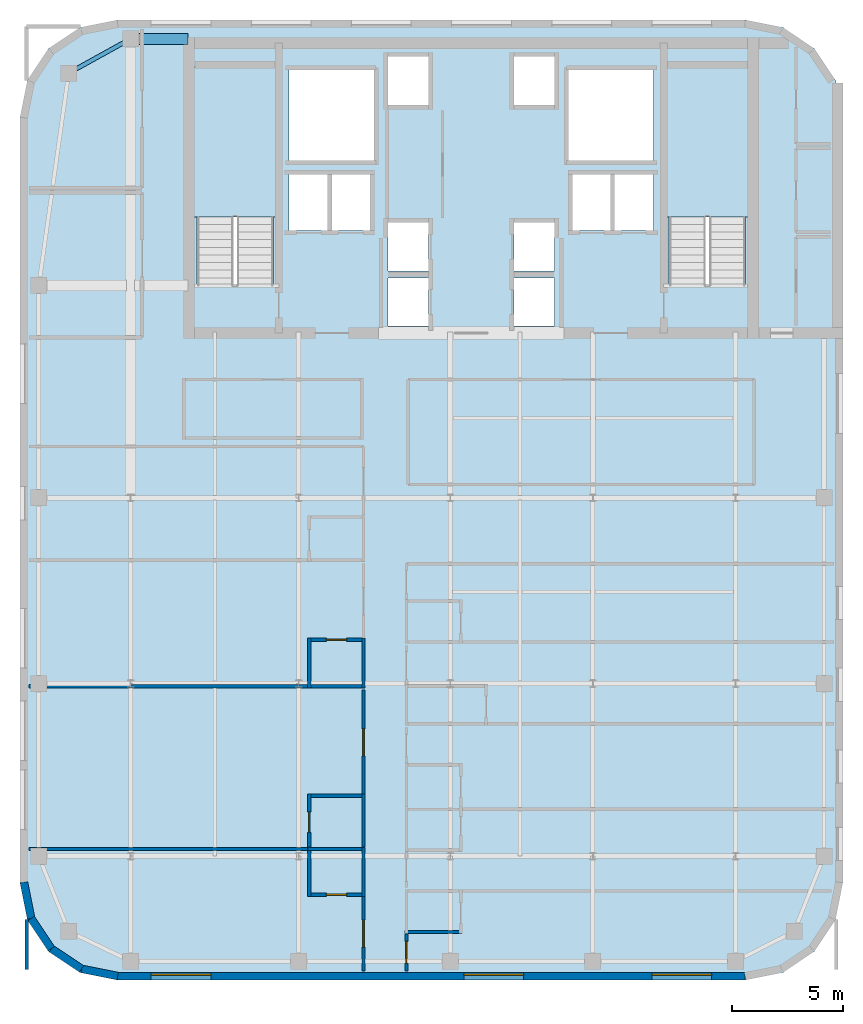
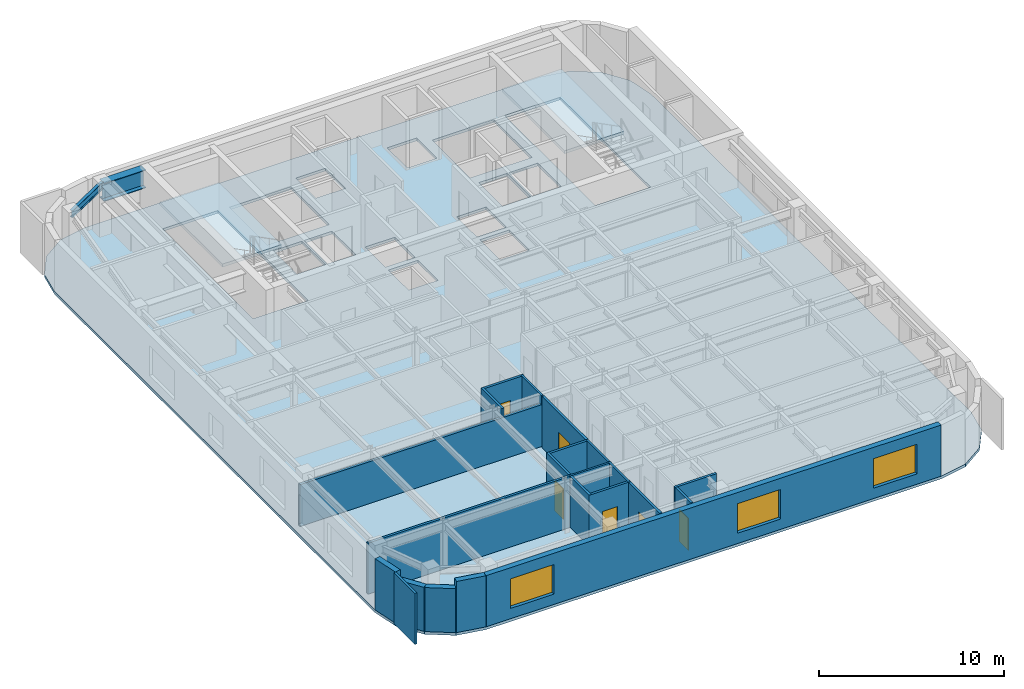
# One storey, part 3 of 9: 22 walls, 6 doors, 3 slabs, 3 windows, 2 beams, 9 openings, 2 elements without a shape of their own.
"""IFC4 building model written with IfcOpenShell, lengths in metres."""

from ifc_helpers import new_model, si_unit, direction, frame, frame_2d, origin, origin_2d, place, context, subcontext, project, spatial, polyline, rectangle, i_section, outline, extrude, source, transform, mapped, material, layer, layer_set, material_profile, profile_set, type_object, type_shapes, element, fill, aggregate, save


model = new_model("IFC4")

# Units and contexts
model_context = context("Model", 3, precision=1e-05, world=origin(), true_north=direction((0.0, 1.0)))
body_context = subcontext(model_context, "Body", "Model", "MODEL_VIEW")
ifc_project = project(units=[si_unit("LENGTHUNIT", "METRE"), si_unit("AREAUNIT", "SQUARE_METRE"), si_unit("VOLUMEUNIT", "CUBIC_METRE"), si_unit("PLANEANGLEUNIT", "RADIAN"), si_unit("MASSUNIT", "GRAM", prefix="KILO")], contexts=[model_context])

# Site, building, storey
site_placement = place(None, origin())
site = spatial("IfcSite", under=ifc_project, at=site_placement, CompositionType="ELEMENT")
building_placement = place(site_placement, origin())
building = spatial("IfcBuilding", under=site, at=building_placement, Name="Tolvann Quenvar Hotel", CompositionType="ELEMENT")
storey_placement = place(building_placement, frame((0.0, 0.0, 209.699951171875)))
storey = spatial("IfcBuildingStorey", under=building, at=storey_placement, Name="L55", CompositionType="ELEMENT", Elevation=209.699951171875)

# Beams
ifc_material_1 = material(Name="Steel Grade 350", Category="steel")
ifc_material_profile_1 = material_profile(ifc_material_1, i_section(OverallWidth=0.5, OverallDepth=1.199951171875, WebThickness=0.01611328125, FlangeThickness=0.0400390625, at=origin_2d()), Name="1200WB455")
ifc_profile_set_1 = profile_set([ifc_material_profile_1], Name="Steel Grade 350")
beam_type_1 = type_object("IfcBeamType", Name="BM_TG_1200WB455", PredefinedType="USERDEFINED", material=ifc_profile_set_1)
shared_shape_1 = source(origin(), body_context, "Body", "SweptSolid", [
    extrude(i_section(OverallWidth=0.5, OverallDepth=1.199951171875, WebThickness=0.01611328125, FlangeThickness=0.0400390625, at=origin_2d()), origin(), (0.0, 0.0, 1.0), 2.599853515625),
])
type_shapes(beam_type_1, [shared_shape_1])
beam_1_placement = place(storey_placement, frame((7.60009765625, 45.14990234375, 2.77001953125), z_axis=(1.0, 0.0, 0.0), x_axis=(0.0, 1.0, 0.0)))
element("IfcBeam", 1, at=beam_1_placement, inside=storey, type_object=beam_type_1, Name="BM-L55-CTW-CN", ObjectType="TRANSFER GIRDER", PredefinedType="USERDEFINED", context=body_context, shape_type="MappedRepresentation", body=[
    mapped(shared_shape_1, transform((0.0, 0.0, 0.0), x_axis=(1.0, 0.0, 0.0), y_axis=(0.0, 1.0, 0.0), z_axis=(0.0, 0.0, 1.0), scale=1.0)),
])
ifc_material_profile_2 = material_profile(ifc_material_1, i_section(OverallWidth=0.19091796875, OverallDepth=0.4599609375, WebThickness=0.010009765625, FlangeThickness=0.01611328125, FilletRadius=0.011474609375, at=origin_2d()), Name="460UB82")
ifc_profile_set_2 = profile_set([ifc_material_profile_2], Name="Steel Grade 350")
beam_type_2 = type_object("IfcBeamType", Name="BM_SPAND_460UB82", PredefinedType="SPANDREL", material=ifc_profile_set_2)
shared_shape_2 = source(origin(), body_context, "Body", "SweptSolid", [
    extrude(i_section(OverallWidth=0.19091796875, OverallDepth=0.4599609375, WebThickness=0.010009765625, FlangeThickness=0.01611328125, FilletRadius=0.011474609375, at=origin_2d()), origin(), (0.0, 0.0, 1.0), 3.200439453125),
])
type_shapes(beam_type_2, [shared_shape_2])
beam_2_placement = place(storey_placement, frame((4.800048828125, 43.60009765625, 3.14013671875), z_axis=(0.87492264453, 0.48426270359, 0.0), x_axis=(-0.48426270359, 0.87492264453, 0.0)))
element("IfcBeam", 2, at=beam_2_placement, inside=storey, type_object=beam_type_2, Name="BM-L55-FLK-W3", PredefinedType="SPANDREL", context=body_context, shape_type="MappedRepresentation", body=[
    mapped(shared_shape_2, transform((0.0, 0.0, 0.0), x_axis=(1.0, 0.0, 0.0), y_axis=(0.0, 1.0, 0.0), z_axis=(0.0, 0.0, 1.0), scale=1.0)),
])

# Stair, slab
ifc_material_2 = material(Name="Concrete N40 (40 MPa)", Category="concrete")
stair_type = type_object("IfcStairType", Name="STAIR", PredefinedType="HALF_TURN_STAIR", material=ifc_material_2)
stair_1_placement = place(storey_placement, origin())
stair_1 = element("IfcStair", 3, at=stair_1_placement, inside=storey, type_object=stair_type, Name="L55 ST-C1", PredefinedType="HALF_TURN_STAIR")
ifc_layer_1 = layer(ifc_material_2, 0.199951171875)
ifc_layer_set_1 = layer_set([ifc_layer_1], Name="Concrete N40 (40 MPa)")
slab_type_1 = type_object("IfcSlabType", Name="SLAB_LANDING", PredefinedType="LANDING", material=ifc_layer_set_1)
slab_1_placement = place(storey_placement, frame((0.0, 0.0, 1.574951171875)))
slab_1 = element("IfcSlab", 4, at=slab_1_placement, type_object=slab_type_1, Name="ST-C1 landing 1", PredefinedType="LANDING", context=body_context, shape_type="SweptSolid", body=[
    extrude(outline(polyline([(14.179931640625, 37.10498046875), (14.179931640625, 43.8798828125), (10.469970703125, 43.8798828125), (10.469970703125, 37.10498046875), (14.179931640625, 37.10498046875)])), origin(), (0.0, 0.0, 1.0), 0.2001953125),
])
aggregate(stair_1, [slab_1])

stair_2_placement = place(storey_placement, origin())
stair_2 = element("IfcStair", 5, at=stair_2_placement, inside=storey, type_object=stair_type, Name="L55 ST-C2", PredefinedType="HALF_TURN_STAIR")
slab_2_placement = place(storey_placement, frame((0.0, 0.0, 1.574951171875)))
slab_2 = element("IfcSlab", 6, at=slab_2_placement, type_object=slab_type_1, Name="ST-C2 landing 1", PredefinedType="LANDING", context=body_context, shape_type="SweptSolid", body=[
    extrude(outline(polyline([(35.530029296875, 37.10498046875), (35.530029296875, 43.8798828125), (31.820068359375, 43.8798828125), (31.820068359375, 37.10498046875), (35.530029296875, 37.10498046875)])), origin(), (0.0, 0.0, 1.0), 0.2001953125),
])
aggregate(stair_2, [slab_2])

# Slab
ifc_layer_2 = layer(ifc_material_2, 0.179931640625)
ifc_layer_set_2 = layer_set([ifc_layer_2], Name="Concrete N40 (40 MPa)")
slab_type_2 = type_object("IfcSlabType", Name="SLAB_TWR_180", PredefinedType="FLOOR", material=ifc_layer_set_2)
slab_3_placement = place(storey_placement, frame((0.0, 0.0, -0.179931640625)))
element("IfcSlab", 7, at=slab_3_placement, inside=storey, type_object=slab_type_2, Name="Level L55 Structural Floor Slab", PredefinedType="FLOOR", context=body_context, shape_type="SweptSolid", body=[
    extrude(outline(polyline([(2.60009765625, 7.0), (2.934814453125, 5.316162109375), (3.888671875, 3.888671875), (5.316162109375, 2.934814453125), (7.0, 2.60009765625), (35.39990234375, 2.60009765625), (37.083740234375, 2.934814453125), (38.51123046875, 3.888671875), (39.465087890625, 5.316162109375), (39.800048828125, 7.0), (39.800048828125, 41.60009765625), (39.465087890625, 43.28369140625), (38.51123046875, 44.711181640625), (37.083740234375, 45.6650390625), (35.39990234375, 46.0), (7.0, 46.0), (5.316162109375, 45.6650390625), (3.888671875, 44.711181640625), (2.934814453125, 43.28369140625), (2.60009765625, 41.60009765625), (2.60009765625, 7.0)]), holes=[polyline([(31.949951171875, 34.02490234375), (31.949951171875, 43.800048828125), (35.39990234375, 43.800048828125), (35.39990234375, 34.02490234375), (31.949951171875, 34.02490234375)]), polyline([(27.39990234375, 43.75), (31.25, 43.75), (31.25, 39.64990234375), (27.39990234375, 39.64990234375), (27.39990234375, 43.75)]), polyline([(29.449951171875, 39.02001953125), (31.25, 39.02001953125), (31.25, 36.47998046875), (29.449951171875, 36.47998046875), (29.449951171875, 39.02001953125)]), polyline([(27.574951171875, 39.02001953125), (29.324951171875, 39.02001953125), (29.324951171875, 36.47998046875), (27.574951171875, 36.47998046875), (27.574951171875, 39.02001953125)]), polyline([(24.929931640625, 36.840087890625), (26.77001953125, 36.840087890625), (26.77001953125, 34.659912109375), (24.929931640625, 34.659912109375), (24.929931640625, 36.840087890625)]), polyline([(24.929931640625, 44.340087890625), (26.77001953125, 44.340087890625), (26.77001953125, 42.159912109375), (24.929931640625, 42.159912109375), (24.929931640625, 44.340087890625)]), polyline([(24.929931640625, 32.159912109375), (24.929931640625, 34.340087890625), (26.77001953125, 34.340087890625), (26.77001953125, 32.159912109375), (24.929931640625, 32.159912109375)]), polyline([(19.22998046875, 36.840087890625), (21.070068359375, 36.840087890625), (21.070068359375, 34.659912109375), (19.22998046875, 34.659912109375), (19.22998046875, 36.840087890625)]), polyline([(19.22998046875, 44.340087890625), (21.070068359375, 44.340087890625), (21.070068359375, 42.159912109375), (19.22998046875, 42.159912109375), (19.22998046875, 44.340087890625)]), polyline([(19.22998046875, 32.159912109375), (19.22998046875, 34.340087890625), (21.070068359375, 34.340087890625), (21.070068359375, 32.159912109375), (19.22998046875, 32.159912109375)]), polyline([(14.75, 43.75), (18.60009765625, 43.75), (18.60009765625, 39.64990234375), (14.75, 39.64990234375), (14.75, 43.75)]), polyline([(16.675048828125, 39.02001953125), (18.425048828125, 39.02001953125), (18.425048828125, 36.47998046875), (16.675048828125, 36.47998046875), (16.675048828125, 39.02001953125)]), polyline([(14.75, 39.02001953125), (16.550048828125, 39.02001953125), (16.550048828125, 36.47998046875), (14.75, 36.47998046875), (14.75, 39.02001953125)]), polyline([(10.60009765625, 34.02490234375), (10.60009765625, 43.800048828125), (14.050048828125, 43.800048828125), (14.050048828125, 34.02490234375), (10.60009765625, 34.02490234375)])]), origin(), (0.0, 0.0, 1.0), 0.179931640625),
])

# Walls
ifc_material_3 = material(Name="Kiln-fired red and buff architectural clay brickwork and terracotta masonry", Category="masonry")
ifc_layer_3 = layer(ifc_material_3, 0.35009765625)
ifc_layer_set_3 = layer_set([ifc_layer_3], Name="Kiln-fired red and buff architectural clay brickwork and terracotta masonry")
wall_type_1 = type_object("IfcWallType", Name="WALL_EXT_BRICK_350", PredefinedType="SOLIDWALL", material=ifc_layer_set_3)
for number, where, z_axis, x_axis, name in (
    (8, (3.099609375, 5.384521484375, 0.0), (0.0, 0.0, 1.0), (0.555623290322, -0.831434158098, 0.0), "Exterior Chicago Brick Wall L55-E01"),
    (9, (4.014892578125, 4.014892578125, 0.0), (0.0, 0.0, 1.0), (0.831434158098, -0.555623290322, 0.0), "Exterior Chicago Brick Wall L55-E02"),
):
    element("IfcWall", number, at=place(storey_placement, frame(where, z_axis=z_axis, x_axis=x_axis)), inside=storey, type_object=wall_type_1, Name=name, PredefinedType="SOLIDWALL", context=body_context, shape_type="SweptSolid", body=[
        extrude(rectangle(XDim=1.647216796875, YDim=0.35009765625, at=frame_2d((0.82373046875, 0.0))), origin(), (0.0, 0.0, 1.0), 2.900146484375),
    ])
wall_1_placement = place(storey_placement, frame((5.384521484375, 3.099609375, 0.0), z_axis=(0.0, 0.0, 1.0), x_axis=(0.980788844421, -0.195072403631, 0.0)))
element("IfcWall", 10, at=wall_1_placement, inside=storey, type_object=wall_type_1, Name="Exterior Chicago Brick Wall L55-E03", PredefinedType="SOLIDWALL", context=body_context, shape_type="SweptSolid", body=[
    extrude(rectangle(XDim=1.66455078125, YDim=0.35009765625, at=frame_2d((0.832275390625, 0.0))), origin(), (0.0, 0.0, 1.0), 3.3701171875),
])

# Wall, openings, windows
wall_2_placement = place(storey_placement, frame((7.01708984375, 2.77490234375, 0.0), z_axis=(0.0, 0.0, 1.0), x_axis=(1.0, 0.0, 0.0)))
wall_2 = element("IfcWall", 11, at=wall_2_placement, inside=storey, type_object=wall_type_1, Name="Exterior Chicago Brick Wall L55-E04", PredefinedType="SOLIDWALL", context=body_context, shape_type="SweptSolid", body=[
    extrude(rectangle(XDim=28.36572265625, YDim=0.35009765625, at=frame_2d((14.182861328125, 0.0))), origin(), (0.0, 0.0, 1.0), 3.3701171875),
])
opening_1_placement = place(wall_2_placement, frame((1.513916015625, 0.0, 0.679931640625)))
opening_1 = element("IfcOpeningElement", 12, at=opening_1_placement, cuts=wall_2, Name="Opening W-04", PredefinedType="OPENING", context=body_context, shape_type="SweptSolid", body=[
    extrude(rectangle(XDim=2.699951171875, YDim=1.949951171875, at=frame_2d((1.35009765625, 0.97509765625))), frame((0.0, 0.18505859375, 0.0), z_axis=(0.0, -1.0, 0.0), x_axis=(1.0, 0.0, 0.0)), (0.0, 0.0, 1.0), 0.3701171875),
])
opening_2_placement = place(wall_2_placement, frame((15.64697265625, 0.0, 0.679931640625)))
opening_2 = element("IfcOpeningElement", 13, at=opening_2_placement, cuts=wall_2, Name="Opening W-04", PredefinedType="OPENING", context=body_context, shape_type="SweptSolid", body=[
    extrude(rectangle(XDim=2.699951171875, YDim=1.949951171875, at=frame_2d((1.35009765625, 0.97509765625))), frame((0.0, 0.18505859375, 0.0), z_axis=(0.0, -1.0, 0.0), x_axis=(1.0, 0.0, 0.0)), (0.0, 0.0, 1.0), 0.3701171875),
])
opening_3_placement = place(wall_2_placement, frame((24.152099609375, 0.0, 0.679931640625)))
opening_3 = element("IfcOpeningElement", 14, at=opening_3_placement, cuts=wall_2, Name="Opening W-04", PredefinedType="OPENING", context=body_context, shape_type="SweptSolid", body=[
    extrude(rectangle(XDim=2.699951171875, YDim=1.949951171875, at=frame_2d((1.35009765625, 0.97509765625))), frame((0.0, 0.18505859375, 0.0), z_axis=(0.0, -1.0, 0.0), x_axis=(1.0, 0.0, 0.0)), (0.0, 0.0, 1.0), 0.3701171875),
])
ifc_material_4 = material(Name="Thermally broken bronze-anodised aluminium frame with double low-E glazing", Category="aluminium")
window_type = type_object("IfcWindowType", Name="WIN_STE_2700x2150", PartitioningType="TRIPLE_PANEL_HORIZONTAL", PredefinedType="WINDOW", material=ifc_material_4)
shared_shape_3 = source(origin(), body_context, "Body", "SweptSolid", [
    extrude(rectangle(XDim=2.699951171875, YDim=1.949951171875, at=frame_2d((1.35009765625, 0.97509765625))), frame((0.0, 0.090087890625, 0.0), z_axis=(0.0, -1.0, 0.0), x_axis=(1.0, 0.0, 0.0)), (0.0, 0.0, 1.0), 0.06005859375),
])
type_shapes(window_type, [shared_shape_3])
window_1_placement = place(opening_1_placement, origin())
window_1 = element("IfcWindow", 15, at=window_1_placement, inside=storey, type_object=window_type, Name="Chicago Window W-04 (EW-L55-E04-W01)", OverallHeight=1.949951171875, OverallWidth=2.699951171875, PartitioningType="TRIPLE_PANEL_HORIZONTAL", PredefinedType="WINDOW", context=body_context, shape_type="MappedRepresentation", body=[
    mapped(shared_shape_3, transform((0.0, 0.0, 0.0), x_axis=(1.0, 0.0, 0.0), y_axis=(0.0, 1.0, 0.0), z_axis=(0.0, 0.0, 1.0), scale=1.0)),
])
fill(opening_1, window_1)
window_2_placement = place(opening_2_placement, origin())
window_2 = element("IfcWindow", 16, at=window_2_placement, inside=storey, type_object=window_type, Name="Chicago Window W-04 (EW-L55-E04-W02)", OverallHeight=1.949951171875, OverallWidth=2.699951171875, PartitioningType="TRIPLE_PANEL_HORIZONTAL", PredefinedType="WINDOW", context=body_context, shape_type="MappedRepresentation", body=[
    mapped(shared_shape_3, transform((0.0, 0.0, 0.0), x_axis=(1.0, 0.0, 0.0), y_axis=(0.0, 1.0, 0.0), z_axis=(0.0, 0.0, 1.0), scale=1.0)),
])
fill(opening_2, window_2)
window_3_placement = place(opening_3_placement, origin())
window_3 = element("IfcWindow", 17, at=window_3_placement, inside=storey, type_object=window_type, Name="Chicago Window W-04 (EW-L55-E04-W03)", OverallHeight=1.949951171875, OverallWidth=2.699951171875, PartitioningType="TRIPLE_PANEL_HORIZONTAL", PredefinedType="WINDOW", context=body_context, shape_type="MappedRepresentation", body=[
    mapped(shared_shape_3, transform((0.0, 0.0, 0.0), x_axis=(1.0, 0.0, 0.0), y_axis=(0.0, 1.0, 0.0), z_axis=(0.0, 0.0, 1.0), scale=1.0)),
])
fill(opening_3, window_3)

# Walls
wall_3_placement = place(storey_placement, frame((2.77490234375, 7.01708984375, 0.0), z_axis=(0.0, 0.0, 1.0), x_axis=(0.195072403631, -0.980788844421, 0.0)))
element("IfcWall", 18, at=wall_3_placement, inside=storey, type_object=wall_type_1, Name="Exterior Chicago Brick Wall L55-E20", PredefinedType="SOLIDWALL", context=body_context, shape_type="SweptSolid", body=[
    extrude(rectangle(XDim=1.66455078125, YDim=0.35009765625, at=frame_2d((0.832275390625, 0.0))), origin(), (0.0, 0.0, 1.0), 3.3701171875),
])
ifc_material_5 = material(Name="Moisture-resistant acoustic plumbing wall assembly")
ifc_layer_4 = layer(ifc_material_5, 0.1201171875)
ifc_layer_set_4 = layer_set([ifc_layer_4], Name="Moisture-resistant acoustic plumbing wall assembly")
wall_type_2 = type_object("IfcWallType", Name="WALL_PART_BATH_120", PredefinedType="PLUMBINGWALL", material=ifc_layer_set_4)
wall_4_placement = place(storey_placement, frame((15.610107421875, 8.52001953125, 0.0), z_axis=(0.0, 0.0, 1.0), x_axis=(1.0, 0.0, 0.0)))
element("IfcWall", 19, at=wall_4_placement, inside=storey, type_object=wall_type_2, Name="Non-Rated Plumbing Partition PT-SPC-L55-ENS-WO01-N", PredefinedType="PLUMBINGWALL", context=body_context, shape_type="SweptSolid", body=[
    extrude(rectangle(XDim=2.58984375, YDim=0.1201171875, at=frame_2d((1.294921875, 0.0))), origin(), (0.0, 0.0, 1.0), 3.3701171875),
])
wall_5_placement = place(storey_placement, frame((18.1298828125, 6.383056640625, 0.0), z_axis=(0.0, 0.0, 1.0), x_axis=(0.0, 1.0, 0.0)))
element("IfcWall", 20, at=wall_5_placement, inside=storey, type_object=wall_type_2, Name="Non-Rated Plumbing Partition PT-SPC-L55-ENS-WO01-E", PredefinedType="PLUMBINGWALL", context=body_context, shape_type="SweptSolid", body=[
    extrude(rectangle(XDim=2.20703125, YDim=0.1201171875, at=frame_2d((1.103515625, 0.0))), origin(), (0.0, 0.0, 1.0), 3.3701171875),
])
wall_6_placement = place(storey_placement, frame((18.1298828125, 8.610107421875, 0.0), z_axis=(0.0, 0.0, 1.0), x_axis=(0.0, 1.0, 0.0)))
element("IfcWall", 21, at=wall_6_placement, inside=storey, type_object=wall_type_2, Name="Non-Rated Plumbing Partition PT-SPC-L55-ENS-WO02-E", PredefinedType="PLUMBINGWALL", context=body_context, shape_type="SweptSolid", body=[
    extrude(rectangle(XDim=2.389892578125, YDim=0.1201171875, at=frame_2d((1.19482421875, 0.0))), origin(), (0.0, 0.0, 1.0), 3.3701171875),
])
wall_7_placement = place(storey_placement, frame((18.1298828125, 15.81005859375, 0.0), z_axis=(0.0, 0.0, 1.0), x_axis=(0.0, 1.0, 0.0)))
element("IfcWall", 22, at=wall_7_placement, inside=storey, type_object=wall_type_2, Name="Non-Rated Plumbing Partition PT-SPC-L55-ENS-WO03-E", PredefinedType="PLUMBINGWALL", context=body_context, shape_type="SweptSolid", body=[
    extrude(rectangle(XDim=2.244873046875, YDim=0.1201171875, at=frame_2d((1.12255859375, 0.0))), origin(), (0.0, 0.0, 1.0), 3.3701171875),
])
ifc_material_6 = material(Name="Acoustic twin-stud fire-rated gypsum plasterboard partition")
ifc_layer_5 = layer(ifc_material_6, 0.14990234375)
ifc_layer_set_5 = layer_set([ifc_layer_5], Name="Acoustic twin-stud fire-rated gypsum plasterboard partition")
wall_type_3 = type_object("IfcWallType", Name="WALL_PART_SUITE_150", PredefinedType="PARTITIONING", material=ifc_layer_set_5)
wall_8_placement = place(storey_placement, frame((15.679931640625, 6.383056640625, 0.0), z_axis=(0.0, 0.0, 1.0), x_axis=(0.0, 1.0, 0.0)))
element("IfcWall", 23, at=wall_8_placement, inside=storey, type_object=wall_type_3, Name="Interior Partition PT-SPC-L55-ENS-WO01-ENT", PredefinedType="PARTITIONING", context=body_context, shape_type="SweptSolid", body=[
    extrude(rectangle(XDim=2.20703125, YDim=0.14990234375, at=frame_2d((1.103515625, 0.0))), origin(), (0.0, 0.0, 1.0), 3.3701171875),
])

# Wall, opening, door
wall_9_placement = place(storey_placement, frame((15.610107421875, 6.452880859375, 0.0), z_axis=(0.0, 0.0, 1.0), x_axis=(1.0, 0.0, 0.0)))
wall_9 = element("IfcWall", 24, at=wall_9_placement, inside=storey, type_object=wall_type_3, Name="Interior Partition PT-SPC-L55-ENS-WO01-S", PredefinedType="PARTITIONING", context=body_context, shape_type="SweptSolid", body=[
    extrude(rectangle(XDim=2.58984375, YDim=0.14990234375, at=frame_2d((1.294921875, 0.0))), origin(), (0.0, 0.0, 1.0), 3.3701171875),
])
opening_4_placement = place(wall_9_placement, frame((0.8349609375, 0.0, 0.0)))
opening_4 = element("IfcOpeningElement", 25, at=opening_4_placement, cuts=wall_9, Name="Opening WD-01", PredefinedType="OPENING", context=body_context, shape_type="SweptSolid", body=[
    extrude(rectangle(XDim=0.919921875, YDim=2.010009765625, at=frame_2d((0.4599609375, 1.0048828125))), frame((0.0, 0.0849609375, 0.0), z_axis=(0.0, -1.0, 0.0), x_axis=(1.0, 0.0, 0.0)), (0.0, 0.0, 1.0), 0.169921875),
])
ifc_material_7 = material(Name="Solid-core American oak acoustic fire door leaf in steel frame", Category="steel")
door_type_1 = type_object("IfcDoorType", Name="DOOR_WC_920", OperationType="NOTDEFINED", PredefinedType="DOOR", material=ifc_material_7)
shared_shape_4 = source(origin(), body_context, "Body", "SweptSolid", [
    extrude(rectangle(XDim=0.919921875, YDim=2.010009765625, at=frame_2d((0.4599609375, 1.0048828125))), frame((0.0, 0.02490234375, 0.0), z_axis=(0.0, -1.0, 0.0), x_axis=(1.0, 0.0, 0.0)), (0.0, 0.0, 1.0), 0.050048828125),
])
type_shapes(door_type_1, [shared_shape_4])
door_1_placement = place(opening_4_placement, origin())
door_1 = element("IfcDoor", 26, at=door_1_placement, inside=storey, type_object=door_type_1, Name="Interior Door DOOR-SPC-L55-ENS-WO01", OperationType="SINGLE_SWING_LEFT", OverallHeight=2.010009765625, OverallWidth=0.919921875, PredefinedType="DOOR", context=body_context, shape_type="MappedRepresentation", body=[
    mapped(shared_shape_4, transform((0.0, 0.0, 0.0), x_axis=(1.0, 0.0, 0.0), y_axis=(0.0, 1.0, 0.0), z_axis=(0.0, 0.0, 1.0), scale=1.0)),
])
fill(opening_4, door_1)

wall_10_placement = place(storey_placement, frame((15.679931640625, 8.610107421875, 0.0), z_axis=(0.0, 0.0, 1.0), x_axis=(0.0, 1.0, 0.0)))
wall_10 = element("IfcWall", 27, at=wall_10_placement, inside=storey, type_object=wall_type_3, Name="Interior Partition PT-SPC-L55-ENS-WO02-ENT", PredefinedType="PARTITIONING", context=body_context, shape_type="SweptSolid", body=[
    extrude(rectangle(XDim=2.389892578125, YDim=0.14990234375, at=frame_2d((1.19482421875, 0.0))), origin(), (0.0, 0.0, 1.0), 3.3701171875),
])
opening_5_placement = place(wall_10_placement, frame((0.6650390625, 0.0, 0.0)))
opening_5 = element("IfcOpeningElement", 28, at=opening_5_placement, cuts=wall_10, Name="Opening WD-01", PredefinedType="OPENING", context=body_context, shape_type="SweptSolid", body=[
    extrude(rectangle(XDim=0.919921875, YDim=2.010009765625, at=frame_2d((0.4599609375, 1.0048828125))), frame((0.0, 0.0849609375, 0.0), z_axis=(0.0, -1.0, 0.0), x_axis=(1.0, 0.0, 0.0)), (0.0, 0.0, 1.0), 0.169921875),
])
door_2_placement = place(opening_5_placement, origin())
door_2 = element("IfcDoor", 29, at=door_2_placement, inside=storey, type_object=door_type_1, Name="Interior Door DOOR-SPC-L55-ENS-WO02", OperationType="SINGLE_SWING_RIGHT", OverallHeight=2.010009765625, OverallWidth=0.919921875, PredefinedType="DOOR", context=body_context, shape_type="MappedRepresentation", body=[
    mapped(shared_shape_4, transform((0.0, 0.0, 0.0), x_axis=(1.0, 0.0, 0.0), y_axis=(0.0, 1.0, 0.0), z_axis=(0.0, 0.0, 1.0), scale=1.0)),
])
fill(opening_5, door_2)

# Walls
wall_11_placement = place(storey_placement, frame((15.610107421875, 10.929931640625, 0.0), z_axis=(0.0, 0.0, 1.0), x_axis=(1.0, 0.0, 0.0)))
element("IfcWall", 30, at=wall_11_placement, inside=storey, type_object=wall_type_3, Name="Interior Partition PT-SPC-L55-ENS-WO02-N", PredefinedType="PARTITIONING", context=body_context, shape_type="SweptSolid", body=[
    extrude(rectangle(XDim=2.58984375, YDim=0.14990234375, at=frame_2d((1.294921875, 0.0))), origin(), (0.0, 0.0, 1.0), 3.3701171875),
])
wall_12_placement = place(storey_placement, frame((15.679931640625, 15.81005859375, 0.0), z_axis=(0.0, 0.0, 1.0), x_axis=(0.0, 1.0, 0.0)))
element("IfcWall", 31, at=wall_12_placement, inside=storey, type_object=wall_type_3, Name="Interior Partition PT-SPC-L55-ENS-WO03-ENT", PredefinedType="PARTITIONING", context=body_context, shape_type="SweptSolid", body=[
    extrude(rectangle(XDim=2.244873046875, YDim=0.14990234375, at=frame_2d((1.12255859375, 0.0))), origin(), (0.0, 0.0, 1.0), 3.3701171875),
])
wall_13_placement = place(storey_placement, frame((3.0048828125, 15.8798828125, 0.0), z_axis=(0.0, 0.0, 1.0), x_axis=(1.0, 0.0, 0.0)))
element("IfcWall", 32, at=wall_13_placement, inside=storey, type_object=wall_type_3, Name="Interior Partition PT-SPC-L55-ENS-WO03-S", PredefinedType="PARTITIONING", context=body_context, shape_type="SweptSolid", body=[
    extrude(rectangle(XDim=15.195068359375, YDim=0.14990234375, at=frame_2d((7.59765625, 0.0))), origin(), (0.0, 0.0, 1.0), 2.758056640625),
])

# Wall, opening, door
wall_14_placement = place(storey_placement, frame((15.610107421875, 17.985107421875, 0.0), z_axis=(0.0, 0.0, 1.0), x_axis=(1.0, 0.0, 0.0)))
wall_14 = element("IfcWall", 33, at=wall_14_placement, inside=storey, type_object=wall_type_3, Name="Interior Partition PT-SPC-L55-ENS-WO03-N", PredefinedType="PARTITIONING", context=body_context, shape_type="SweptSolid", body=[
    extrude(rectangle(XDim=2.58984375, YDim=0.14990234375, at=frame_2d((1.294921875, 0.0))), origin(), (0.0, 0.0, 1.0), 3.3701171875),
])
opening_6_placement = place(wall_14_placement, frame((0.8349609375, 0.0, 0.0)))
opening_6 = element("IfcOpeningElement", 34, at=opening_6_placement, cuts=wall_14, Name="Opening WD-01", PredefinedType="OPENING", context=body_context, shape_type="SweptSolid", body=[
    extrude(rectangle(XDim=0.919921875, YDim=2.010009765625, at=frame_2d((0.4599609375, 1.0048828125))), frame((0.0, 0.0849609375, 0.0), z_axis=(0.0, -1.0, 0.0), x_axis=(1.0, 0.0, 0.0)), (0.0, 0.0, 1.0), 0.169921875),
])
door_3_placement = place(opening_6_placement, origin())
door_3 = element("IfcDoor", 35, at=door_3_placement, inside=storey, type_object=door_type_1, Name="Interior Door DOOR-SPC-L55-ENS-WO03", OperationType="SINGLE_SWING_LEFT", OverallHeight=2.010009765625, OverallWidth=0.919921875, PredefinedType="DOOR", context=body_context, shape_type="MappedRepresentation", body=[
    mapped(shared_shape_4, transform((0.0, 0.0, 0.0), x_axis=(1.0, 0.0, 0.0), y_axis=(0.0, 1.0, 0.0), z_axis=(0.0, 0.0, 1.0), scale=1.0)),
])
fill(opening_6, door_3)

# Wall
wall_15_placement = place(storey_placement, frame((20.0, 4.77001953125, 0.0), z_axis=(0.0, 0.0, 1.0), x_axis=(1.0, 0.0, 0.0)))
element("IfcWall", 36, at=wall_15_placement, inside=storey, type_object=wall_type_3, Name="Interior Partition PT-SPC-L55-ENS-EO01-S", PredefinedType="PARTITIONING", context=body_context, shape_type="SweptSolid", body=[
    extrude(rectangle(XDim=2.590087890625, YDim=0.14990234375, at=frame_2d((1.294921875, 0.0))), origin(), (0.0, 0.0, 1.0), 3.3701171875),
])

# Wall, opening, door
wall_16_placement = place(storey_placement, frame((18.1298828125, 3.0048828125, 0.0), z_axis=(0.0, 0.0, 1.0), x_axis=(0.0, 1.0, 0.0)))
wall_16 = element("IfcWall", 37, at=wall_16_placement, inside=storey, type_object=wall_type_3, Name="Interior Partition PT-SPC-L55-RM-WO01-ENT", PredefinedType="PARTITIONING", context=body_context, shape_type="SweptSolid", body=[
    extrude(rectangle(XDim=3.3681640625, YDim=0.14990234375, at=frame_2d((1.68408203125, 0.0))), origin(), (0.0, 0.0, 1.0), 3.3701171875),
])
opening_7_placement = place(wall_16_placement, frame((1.08154296875, 0.0, 0.0)))
opening_7 = element("IfcOpeningElement", 38, at=opening_7_placement, cuts=wall_16, Name="Opening SD-02", PredefinedType="OPENING", context=body_context, shape_type="SweptSolid", body=[
    extrude(rectangle(XDim=1.219970703125, YDim=2.080078125, at=frame_2d((0.60986328125, 1.0400390625))), frame((0.0, 0.0849609375, 0.0), z_axis=(0.0, -1.0, 0.0), x_axis=(1.0, 0.0, 0.0)), (0.0, 0.0, 1.0), 0.169921875),
])
door_type_2 = type_object("IfcDoorType", Name="DOOR_VIP_1220", OperationType="NOTDEFINED", PredefinedType="DOOR", material=ifc_material_7)
shared_shape_5 = source(origin(), body_context, "Body", "SweptSolid", [
    extrude(rectangle(XDim=1.219970703125, YDim=2.080078125, at=frame_2d((0.60986328125, 1.0400390625))), frame((0.0, 0.02490234375, 0.0), z_axis=(0.0, -1.0, 0.0), x_axis=(1.0, 0.0, 0.0)), (0.0, 0.0, 1.0), 0.050048828125),
])
type_shapes(door_type_2, [shared_shape_5])
door_4_placement = place(opening_7_placement, origin())
door_4 = element("IfcDoor", 39, at=door_4_placement, inside=storey, type_object=door_type_2, Name="Interior Door DOOR-SPC-L55-RM-WO01", OperationType="SINGLE_SWING_RIGHT", OverallHeight=2.080078125, OverallWidth=1.219970703125, PredefinedType="DOOR", context=body_context, shape_type="MappedRepresentation", body=[
    mapped(shared_shape_5, transform((0.0, 0.0, 0.0), x_axis=(1.0, 0.0, 0.0), y_axis=(0.0, 1.0, 0.0), z_axis=(0.0, 0.0, 1.0), scale=1.0)),
])
fill(opening_7, door_4)

# Walls
wall_17_placement = place(storey_placement, frame((3.0048828125, 8.52001953125, 0.0), z_axis=(0.0, 0.0, 1.0), x_axis=(1.0, 0.0, 0.0)))
element("IfcWall", 40, at=wall_17_placement, inside=storey, type_object=wall_type_3, Name="Interior Partition PT-SPC-L55-RM-WO01-E5", PredefinedType="PARTITIONING", context=body_context, shape_type="SweptSolid", body=[
    extrude(rectangle(XDim=12.655029296875, YDim=0.14990234375, at=frame_2d((6.32763671875, 0.0))), origin(), (0.0, 0.0, 1.0), 3.3701171875),
])
wall_18_placement = place(storey_placement, frame((2.89990234375, 3.080078125, 0.0), z_axis=(0.0, 0.0, 1.0), x_axis=(0.0, 1.0, 0.0)))
element("IfcWall", 41, at=wall_18_placement, inside=storey, type_object=wall_type_3, Name="Interior Partition PT-SPC-L55-RM-WO01-E6", PredefinedType="PARTITIONING", context=body_context, shape_type="SweptSolid", body=[
    extrude(rectangle(XDim=2.264892578125, YDim=0.14990234375, at=frame_2d((1.13232421875, 0.0))), origin(), (0.0, 0.0, 1.0), 3.3701171875),
])

# Wall, opening, door
wall_19_placement = place(storey_placement, frame((18.1298828125, 11.010009765625, 0.0), z_axis=(0.0, 0.0, 1.0), x_axis=(0.0, 1.0, 0.0)))
wall_19 = element("IfcWall", 42, at=wall_19_placement, inside=storey, type_object=wall_type_3, Name="Interior Partition PT-SPC-L55-RM-WO02-ENT", PredefinedType="PARTITIONING", context=body_context, shape_type="SweptSolid", body=[
    extrude(rectangle(XDim=4.7099609375, YDim=0.14990234375, at=frame_2d((2.35498046875, 0.0))), origin(), (0.0, 0.0, 1.0), 3.3701171875),
])
opening_8_placement = place(wall_19_placement, frame((1.72509765625, 0.0, 0.0)))
opening_8 = element("IfcOpeningElement", 43, at=opening_8_placement, cuts=wall_19, Name="Opening SD-02", PredefinedType="OPENING", context=body_context, shape_type="SweptSolid", body=[
    extrude(rectangle(XDim=1.219970703125, YDim=2.080078125, at=frame_2d((0.60986328125, 1.0400390625))), frame((0.0, 0.0849609375, 0.0), z_axis=(0.0, -1.0, 0.0), x_axis=(1.0, 0.0, 0.0)), (0.0, 0.0, 1.0), 0.169921875),
])
door_5_placement = place(opening_8_placement, origin())
door_5 = element("IfcDoor", 44, at=door_5_placement, inside=storey, type_object=door_type_2, Name="Interior Door DOOR-SPC-L55-RM-WO02", OperationType="SINGLE_SWING_LEFT", OverallHeight=2.080078125, OverallWidth=1.219970703125, PredefinedType="DOOR", context=body_context, shape_type="MappedRepresentation", body=[
    mapped(shared_shape_5, transform((0.0, 0.0, 0.0), x_axis=(1.0, 0.0, 0.0), y_axis=(0.0, 1.0, 0.0), z_axis=(0.0, 0.0, 1.0), scale=1.0)),
])
fill(opening_8, door_5)

wall_20_placement = place(storey_placement, frame((20.070068359375, 3.0048828125, 0.0), z_axis=(0.0, 0.0, 1.0), x_axis=(0.0, 1.0, 0.0)))
wall_20 = element("IfcWall", 45, at=wall_20_placement, inside=storey, type_object=wall_type_3, Name="Interior Partition PT-SPC-L55-RM-EO01-ENT", PredefinedType="PARTITIONING", context=body_context, shape_type="SweptSolid", body=[
    extrude(rectangle(XDim=1.68505859375, YDim=0.14990234375, at=frame_2d((0.842529296875, 0.0))), origin(), (0.0, 0.0, 1.0), 3.3701171875),
])
opening_9_placement = place(wall_20_placement, frame((0.360107421875, 0.0, 0.0)))
opening_9 = element("IfcOpeningElement", 46, at=opening_9_placement, cuts=wall_20, Name="Opening SD-01", PredefinedType="OPENING", context=body_context, shape_type="SweptSolid", body=[
    extrude(rectangle(XDim=0.97998046875, YDim=2.1201171875, at=frame_2d((0.489990234375, 1.06005859375))), frame((0.0, 0.0849609375, 0.0), z_axis=(0.0, -1.0, 0.0), x_axis=(1.0, 0.0, 0.0)), (0.0, 0.0, 1.0), 0.169921875),
])
door_type_3 = type_object("IfcDoorType", Name="DOOR_SUITE_980", OperationType="NOTDEFINED", PredefinedType="DOOR", material=ifc_material_7)
shared_shape_6 = source(origin(), body_context, "Body", "SweptSolid", [
    extrude(rectangle(XDim=0.97998046875, YDim=2.1201171875, at=frame_2d((0.489990234375, 1.06005859375))), frame((0.0, 0.02490234375, 0.0), z_axis=(0.0, -1.0, 0.0), x_axis=(1.0, 0.0, 0.0)), (0.0, 0.0, 1.0), 0.050048828125),
])
type_shapes(door_type_3, [shared_shape_6])
door_6_placement = place(opening_9_placement, origin())
door_6 = element("IfcDoor", 47, at=door_6_placement, inside=storey, type_object=door_type_3, Name="Interior Door DOOR-SPC-L55-RM-EO01", OperationType="SINGLE_SWING_RIGHT", OverallHeight=2.1201171875, OverallWidth=0.97998046875, PredefinedType="DOOR", context=body_context, shape_type="MappedRepresentation", body=[
    mapped(shared_shape_6, transform((0.0, 0.0, 0.0), x_axis=(1.0, 0.0, 0.0), y_axis=(0.0, 1.0, 0.0), z_axis=(0.0, 0.0, 1.0), scale=1.0)),
])
fill(opening_9, door_6)

save(model, "model.ifc")
